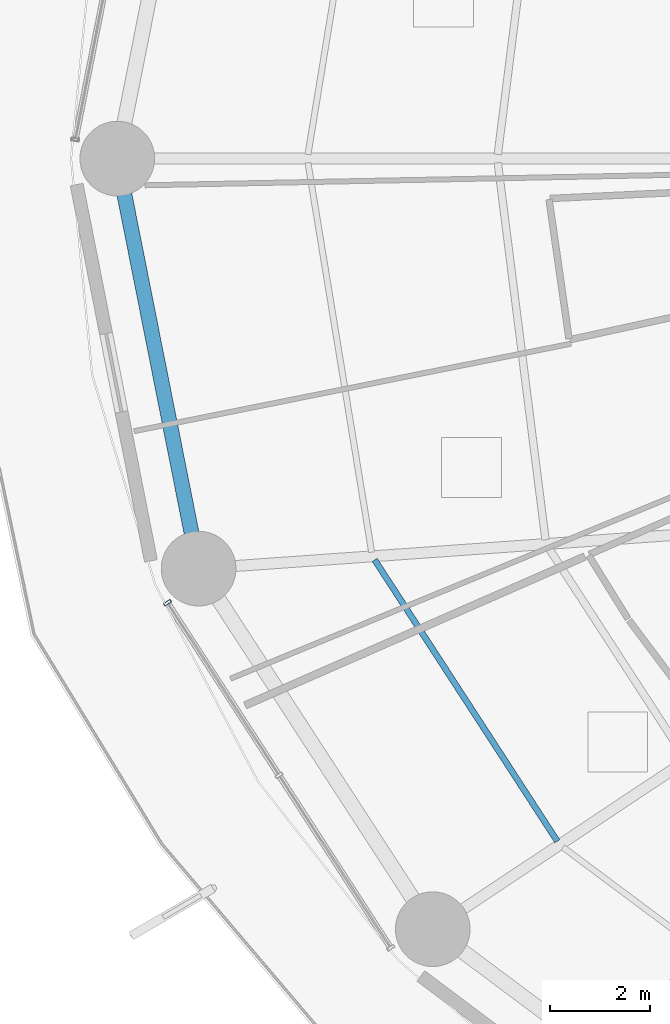
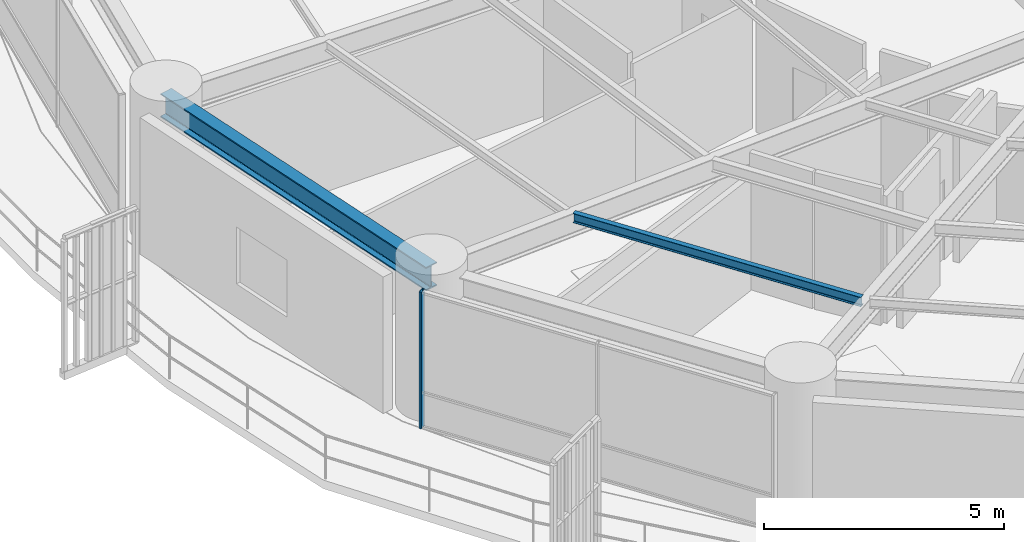
# One storey, part 4 of 33: 2 beams, 1 member, 1 element without a shape of its own.
"""IFC4 building model written with IfcOpenShell, lengths in metres."""

from ifc_helpers import new_model, si_unit, direction, frame, origin, origin_2d, place, context, subcontext, project, spatial, hollow_rectangle, i_section, extrude, material, layer, layer_set, material_profile, profile_set, type_object, element, aggregate, save


model = new_model("IFC4")

# Units and contexts
model_context = context("Model", 3, precision=1e-05, world=origin(), true_north=direction((0.0, 1.0)))
body_context = subcontext(model_context, "Body", "Model", "MODEL_VIEW")
ifc_project = project(units=[si_unit("LENGTHUNIT", "METRE"), si_unit("AREAUNIT", "SQUARE_METRE"), si_unit("VOLUMEUNIT", "CUBIC_METRE"), si_unit("PLANEANGLEUNIT", "RADIAN"), si_unit("MASSUNIT", "GRAM", prefix="KILO")], contexts=[model_context])

# Site, building, storey
site_placement = place(None, origin())
site = spatial("IfcSite", under=ifc_project, at=site_placement, CompositionType="ELEMENT")
building_placement = place(site_placement, origin())
building = spatial("IfcBuilding", under=site, at=building_placement, Name="Kelanora Arch Commons", CompositionType="ELEMENT")
storey_placement = place(building_placement, frame((0.0, 0.0, 41.25)))
storey = spatial("IfcBuildingStorey", under=building, at=storey_placement, Name="L10", CompositionType="ELEMENT", Elevation=41.25)

# Beams
ifc_material_1 = material(Name="Steel S355", Category="steel")
ifc_material_profile_1 = material_profile(ifc_material_1, i_section(OverallWidth=0.1201171875, OverallDepth=0.239990234375, WebThickness=0.006103515625, FlangeThickness=0.009765625, FilletRadius=0.014892578125, at=origin_2d()), Name="IPE240")
ifc_profile_set_1 = profile_set([ifc_material_profile_1], Name="Steel S355")
beam_type_1 = type_object("IfcBeamType", Name="BM-JST-02", PredefinedType="JOIST", material=ifc_profile_set_1)
beam_1_placement = place(storey_placement, frame((52.0888671875, 49.940185546875, 3.3701171875), z_axis=(0.544550165372, -0.838728273873, 0.0), x_axis=(0.838728273873, 0.544550165372, 0.0)))
element("IfcBeam", 1, at=beam_1_placement, inside=storey, type_object=beam_type_1, Name="Secondary Chord Joist BJC-20 L10", PredefinedType="JOIST", context=body_context, shape_type="SweptSolid", body=[
    extrude(i_section(OverallWidth=0.1201171875, OverallDepth=0.239990234375, WebThickness=0.006103515625, FlangeThickness=0.009765625, FilletRadius=0.014892578125, at=origin_2d()), origin(), (0.0, 0.0, 1.0), 6.738037109375),
])
ifc_material_profile_2 = material_profile(ifc_material_1, i_section(OverallWidth=0.300048828125, OverallDepth=0.60009765625, WebThickness=0.015380859375, FlangeThickness=0.030029296875, FilletRadius=0.027099609375, at=origin_2d()), Name="HEB600")
ifc_profile_set_2 = profile_set([ifc_material_profile_2], Name="Steel S355")
beam_type_2 = type_object("IfcBeamType", Name="BM-SPN-Z1", PredefinedType="SPANDREL", material=ifc_profile_set_2)
beam_2_placement = place(storey_placement, frame((46.919921875, 58.0, 3.18994140625), z_axis=(0.194499827256, -0.980902552345, 0.0), x_axis=(0.980902552345, 0.194499827256, 0.0)))
element("IfcBeam", 2, at=beam_2_placement, inside=storey, type_object=beam_type_2, Name="Perimeter Spandrel Beam BS-18 L10", PredefinedType="SPANDREL", context=body_context, shape_type="SweptSolid", body=[
    extrude(i_section(OverallWidth=0.300048828125, OverallDepth=0.60009765625, WebThickness=0.015380859375, FlangeThickness=0.030029296875, FilletRadius=0.027099609375, at=origin_2d()), origin(), (0.0, 0.0, 1.0), 8.396240234375),
])

# Curtain wall, member
ifc_material_2 = material(Name="Terracotta ceramic-fritted low-E glass and aluminium", Category="masonry")
ifc_layer = layer(ifc_material_2, 0.159912109375)
ifc_layer_set = layer_set([ifc_layer], Name="Terracotta ceramic-fritted low-E glass and aluminium")
curtain_wall_type = type_object("IfcCurtainWallType", Name="CW-SYS-01", PredefinedType="NOTDEFINED", material=ifc_layer_set)
curtain_wall_placement = place(storey_placement, origin())
curtain_wall = element("IfcCurtainWall", 3, at=curtain_wall_placement, inside=storey, type_object=curtain_wall_type, Name="Unitised Curtain Wall L10-B10", PredefinedType="NOTDEFINED")
ifc_material_3 = material(Name="Powder-coated aluminium terracotta", Category="masonry")
ifc_material_profile_3 = material_profile(ifc_material_3, hollow_rectangle(XDim=0.159912109375, YDim=0.06005859375, WallThickness=0.0048828125, InnerFilletRadius=0.0048828125, OuterFilletRadius=0.010009765625, at=origin_2d()), Name="CWM160x60")
ifc_profile_set_3 = profile_set([ifc_material_profile_3], Name="Powder-coated aluminium terracotta")
member_type = type_object("IfcMemberType", Name="CWM-STD", PredefinedType="MULLION", material=ifc_profile_set_3)
member_placement = place(storey_placement, frame((47.927734375, 49.07958984375, 0.0), z_axis=(0.0, 0.0, 1.0), x_axis=(0.83972982332, 0.543004441812, 0.0)))
member = element("IfcMember", 4, at=member_placement, type_object=member_type, Name="CW-01 mullion 1", PredefinedType="MULLION", context=body_context, shape_type="SweptSolid", body=[
    extrude(hollow_rectangle(XDim=0.159912109375, YDim=0.06005859375, WallThickness=0.0048828125, InnerFilletRadius=0.0048828125, OuterFilletRadius=0.010009765625, at=origin_2d()), origin(), (0.0, 0.0, 1.0), 3.47509765625),
])
aggregate(curtain_wall, [member])

save(model, "model.ifc")
